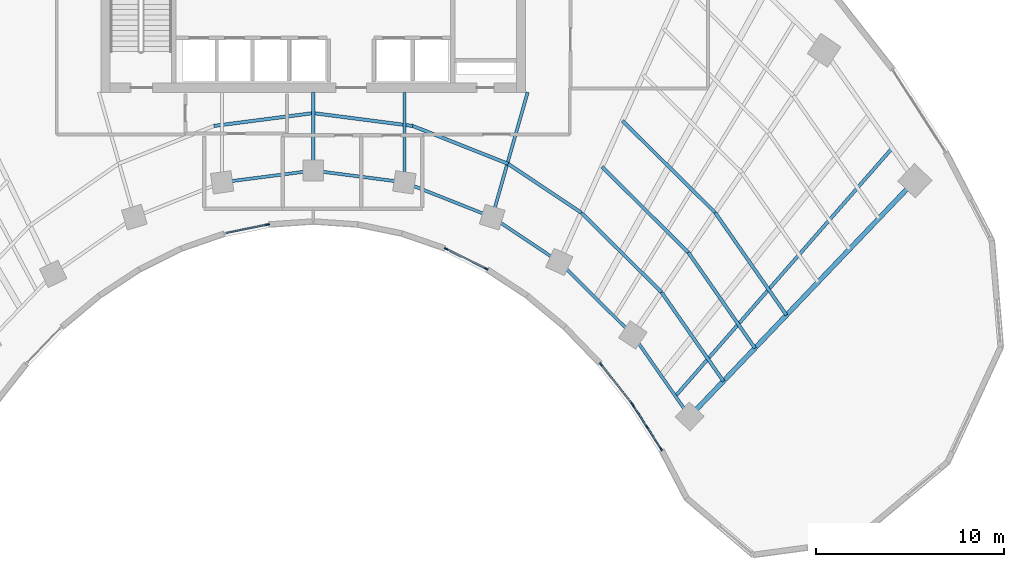
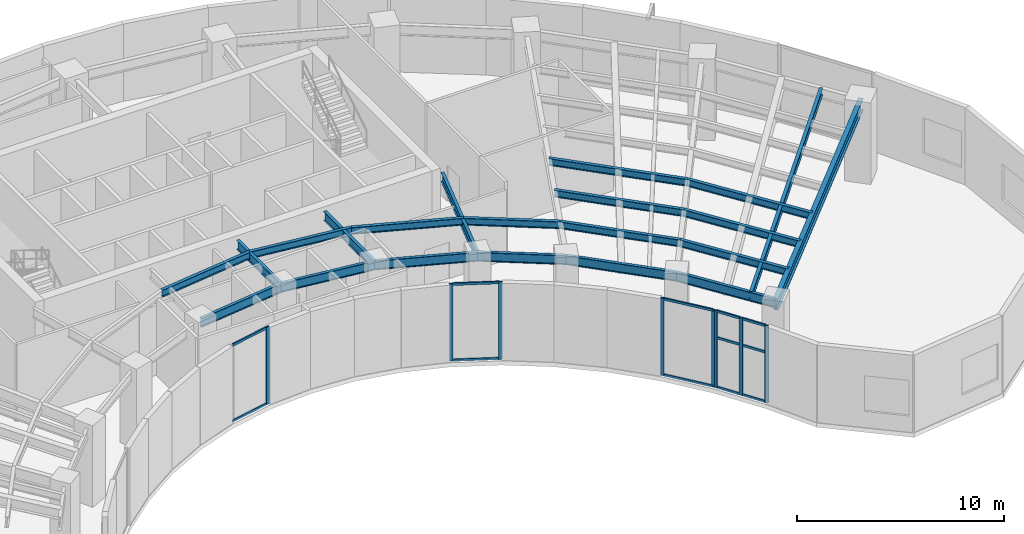
# One storey, part 3 of 15: 21 beams, 20 members, 4 elements without a shape of their own.
"""IFC4 building model written with IfcOpenShell, lengths in metres."""

from ifc_helpers import new_model, si_unit, direction, frame, origin, origin_2d, place, context, subcontext, project, spatial, rectangle, i_section, extrude, source, transform, mapped, material, layer, layer_set, material_profile, profile_set, type_object, type_shapes, element, aggregate, save


model = new_model("IFC4")

# Units and contexts
model_context = context("Model", 3, precision=1e-05, world=origin(), true_north=direction((0.0, 1.0)))
body_context = subcontext(model_context, "Body", "Model", "MODEL_VIEW")
ifc_project = project(units=[si_unit("LENGTHUNIT", "METRE"), si_unit("AREAUNIT", "SQUARE_METRE"), si_unit("VOLUMEUNIT", "CUBIC_METRE"), si_unit("PLANEANGLEUNIT", "RADIAN"), si_unit("MASSUNIT", "GRAM", prefix="KILO")], contexts=[model_context])

# Site, building, storey
site_placement = place(None, origin())
site = spatial("IfcSite", under=ifc_project, at=site_placement, CompositionType="ELEMENT")
building_placement = place(site_placement, origin())
building = spatial("IfcBuilding", under=site, at=building_placement, Name="Breltana Convention Tower", CompositionType="ELEMENT")
storey_placement = place(building_placement, frame((0.0, 0.0, 91.199951171875)))
storey = spatial("IfcBuildingStorey", under=building, at=storey_placement, Name="L21", CompositionType="ELEMENT", Elevation=91.199951171875)

# Beams
ifc_material_1 = material(Name="Steel ASTM A992 Grade 50", Category="steel")
ifc_material_profile_1 = material_profile(ifc_material_1, i_section(OverallWidth=0.179931640625, OverallDepth=0.4130859375, WebThickness=0.009765625, FlangeThickness=0.01611328125, at=origin_2d()), Name="W16X50")
ifc_profile_set_1 = profile_set([ifc_material_profile_1], Name="Steel ASTM A992 Grade 50")
beam_type_1 = type_object("IfcBeamType", Name="BM-JSG-08", PredefinedType="JOIST", material=ifc_profile_set_1)
shared_shape_1 = source(origin(), body_context, "Body", "SweptSolid", [
    extrude(i_section(OverallWidth=0.179931640625, OverallDepth=0.4130859375, WebThickness=0.009765625, FlangeThickness=0.01611328125, at=origin_2d()), origin(), (0.0, 0.0, 1.0), 17.515625),
])
beam_1_placement = place(storey_placement, frame((67.260498046875, 44.03955078125, 4.343505859375), z_axis=(0.658051548324, 0.752972881151, 0.0), x_axis=(-0.752972881151, 0.658051548324, 0.0)))
element("IfcBeam", 1, at=beam_1_placement, inside=storey, type_object=beam_type_1, Name="L21 Quarter-Bay Radial Trimmer 10", PredefinedType="JOIST", context=body_context, shape_type="MappedRepresentation", body=[
    mapped(shared_shape_1, transform((0.0, 0.0, 0.0), scale=1.0)),
])
shared_shape_2 = source(origin(), body_context, "Body", "SweptSolid", [
    extrude(i_section(OverallWidth=0.179931640625, OverallDepth=0.4130859375, WebThickness=0.009765625, FlangeThickness=0.01611328125, at=origin_2d()), origin(), (0.0, 0.0, 1.0), 5.473876953125),
])
beam_2_placement = place(storey_placement, frame((53.281494140625, 58.409912109375, 4.343505859375), z_axis=(0.92945162863, -0.368943993091, 0.0), x_axis=(0.368943993091, 0.92945162863, 0.0)))
element("IfcBeam", 2, at=beam_2_placement, inside=storey, type_object=beam_type_1, Name="L21 Composite Floor Joist 07.1", PredefinedType="JOIST", context=body_context, shape_type="MappedRepresentation", body=[
    mapped(shared_shape_2, transform((0.0, 0.0, 0.0), scale=1.0)),
])
shared_shape_3 = source(origin(), body_context, "Body", "SweptSolid", [
    extrude(i_section(OverallWidth=0.179931640625, OverallDepth=0.4130859375, WebThickness=0.009765625, FlangeThickness=0.01611328125, at=origin_2d()), origin(), (0.0, 0.0, 1.0), 5.3251953125),
])
for number, where, z_axis, x_axis, name in (
    (3, (42.718505859375, 58.409912109375, 4.343505859375), (0.991779931204, 0.127955336199, 0.0), (-0.127955336199, 0.991779931204, 0.0), "L21 Composite Floor Joist 05.1"),
    (4, (48.0, 59.09130859375, 4.343505859375), (0.991779931204, -0.127955336199, 0.0), (0.127955336199, 0.991779931204, 0.0), "L21 Composite Floor Joist 06.1"),
):
    element("IfcBeam", number, at=place(storey_placement, frame(where, z_axis=z_axis, x_axis=x_axis)), inside=storey, type_object=beam_type_1, Name=name, PredefinedType="JOIST", context=body_context, shape_type="MappedRepresentation", body=[
        mapped(shared_shape_3, transform((0.0, 0.0, 0.0), scale=1.0)),
    ])
shared_shape_4 = source(origin(), body_context, "Body", "SweptSolid", [
    extrude(i_section(OverallWidth=0.179931640625, OverallDepth=0.4130859375, WebThickness=0.009765625, FlangeThickness=0.01611328125, at=origin_2d()), origin(), (0.0, 0.0, 1.0), 4.675048828125),
])
beam_3_placement = place(storey_placement, frame((58.369140625, 56.390380859375, 4.343505859375), z_axis=(0.831487469976, -0.555543506193, 0.0), x_axis=(0.555543506193, 0.831487469976, 0.0)))
element("IfcBeam", 5, at=beam_3_placement, inside=storey, type_object=beam_type_1, Name="L21 Composite Floor Joist 08.1", PredefinedType="JOIST", context=body_context, shape_type="MappedRepresentation", body=[
    mapped(shared_shape_4, transform((0.0, 0.0, 0.0), scale=1.0)),
])
shared_shape_5 = source(origin(), body_context, "Body", "SweptSolid", [
    extrude(i_section(OverallWidth=0.179931640625, OverallDepth=0.4130859375, WebThickness=0.009765625, FlangeThickness=0.01611328125, at=origin_2d()), origin(), (0.0, 0.0, 1.0), 6.00634765625),
])
beam_4_placement = place(storey_placement, frame((62.25634765625, 53.793212890625, 4.343505859375), z_axis=(0.710108283635, -0.704092483636, 0.0), x_axis=(0.704092483636, 0.710108283635, 0.0)))
element("IfcBeam", 6, at=beam_4_placement, inside=storey, type_object=beam_type_1, Name="L21 Composite Floor Joist 09.1", PredefinedType="JOIST", context=body_context, shape_type="MappedRepresentation", body=[
    mapped(shared_shape_5, transform((0.0, 0.0, 0.0), scale=1.0)),
])
shared_shape_6 = source(origin(), body_context, "Body", "SweptSolid", [
    extrude(i_section(OverallWidth=0.179931640625, OverallDepth=0.4130859375, WebThickness=0.009765625, FlangeThickness=0.01611328125, at=origin_2d()), origin(), (0.0, 0.0, 1.0), 6.468017578125),
])
beam_5_placement = place(storey_placement, frame((63.352294921875, 56.237548828125, 4.343505859375), z_axis=(0.710101160442, -0.704099667617, 0.0), x_axis=(0.704099667617, 0.710101160442, 0.0)))
element("IfcBeam", 7, at=beam_5_placement, inside=storey, type_object=beam_type_1, Name="L21 Composite Floor Joist 09.2", PredefinedType="JOIST", context=body_context, shape_type="MappedRepresentation", body=[
    mapped(shared_shape_6, transform((0.0, 0.0, 0.0), scale=1.0)),
])
shared_shape_7 = source(origin(), body_context, "Body", "SweptSolid", [
    extrude(i_section(OverallWidth=0.179931640625, OverallDepth=0.4130859375, WebThickness=0.009765625, FlangeThickness=0.01611328125, at=origin_2d()), origin(), (0.0, 0.0, 1.0), 6.93017578125),
])
beam_6_placement = place(storey_placement, frame((64.4482421875, 58.681884765625, 4.343505859375), z_axis=(0.710112451674, -0.70408827996, 0.0), x_axis=(0.70408827996, 0.710112451674, 0.0)))
element("IfcBeam", 8, at=beam_6_placement, inside=storey, type_object=beam_type_1, Name="L21 Composite Floor Joist 09.3", PredefinedType="JOIST", context=body_context, shape_type="MappedRepresentation", body=[
    mapped(shared_shape_7, transform((0.0, 0.0, 0.0), scale=1.0)),
])
shared_shape_8 = source(origin(), body_context, "Body", "SweptSolid", [
    extrude(i_section(OverallWidth=0.179931640625, OverallDepth=0.4130859375, WebThickness=0.009765625, FlangeThickness=0.01611328125, at=origin_2d()), origin(), (0.0, 0.0, 1.0), 5.760986328125),
])
beam_7_placement = place(storey_placement, frame((66.521484375, 49.564208984375, 4.343505859375), z_axis=(0.571224653223, -0.820793759449, 0.0), x_axis=(0.820793759449, 0.571224653223, 0.0)))
element("IfcBeam", 9, at=beam_7_placement, inside=storey, type_object=beam_type_1, Name="L21 Composite Floor Joist 10.1", PredefinedType="JOIST", context=body_context, shape_type="MappedRepresentation", body=[
    mapped(shared_shape_8, transform((0.0, 0.0, 0.0), scale=1.0)),
])
shared_shape_9 = source(origin(), body_context, "Body", "SweptSolid", [
    extrude(i_section(OverallWidth=0.179931640625, OverallDepth=0.4130859375, WebThickness=0.009765625, FlangeThickness=0.01611328125, at=origin_2d()), origin(), (0.0, 0.0, 1.0), 6.203857421875),
])
beam_8_placement = place(storey_placement, frame((67.9453125, 51.683349609375, 4.343505859375), z_axis=(0.571217832032, -0.820798506558, 0.0), x_axis=(0.820798506558, 0.571217832032, 0.0)))
element("IfcBeam", 10, at=beam_8_placement, inside=storey, type_object=beam_type_1, Name="L21 Composite Floor Joist 10.2", PredefinedType="JOIST", context=body_context, shape_type="MappedRepresentation", body=[
    mapped(shared_shape_9, transform((0.0, 0.0, 0.0), scale=1.0)),
])
shared_shape_10 = source(origin(), body_context, "Body", "SweptSolid", [
    extrude(i_section(OverallWidth=0.179931640625, OverallDepth=0.4130859375, WebThickness=0.009765625, FlangeThickness=0.01611328125, at=origin_2d()), origin(), (0.0, 0.0, 1.0), 6.646728515625),
])
beam_9_placement = place(storey_placement, frame((69.369384765625, 53.802490234375, 4.343505859375), z_axis=(0.571194698527, -0.820814605362, 0.0), x_axis=(0.820814605362, 0.571194698527, 0.0)))
element("IfcBeam", 11, at=beam_9_placement, inside=storey, type_object=beam_type_1, Name="L21 Composite Floor Joist 10.3", PredefinedType="JOIST", context=body_context, shape_type="MappedRepresentation", body=[
    mapped(shared_shape_10, transform((0.0, 0.0, 0.0), scale=1.0)),
])
ifc_material_profile_2 = material_profile(ifc_material_1, i_section(OverallWidth=0.25390625, OverallDepth=0.68798828125, WebThickness=0.01318359375, FlangeThickness=0.02099609375, at=origin_2d()), Name="W27X102")
ifc_profile_set_2 = profile_set([ifc_material_profile_2], Name="Steel ASTM A992 Grade 50")
beam_type_2 = type_object("IfcBeamType", Name="BM-RG-W27X102", PredefinedType="USERDEFINED", material=ifc_profile_set_2)
shared_shape_11 = source(origin(), body_context, "Body", "SweptSolid", [
    extrude(i_section(OverallWidth=0.25390625, OverallDepth=0.68798828125, WebThickness=0.01318359375, FlangeThickness=0.02099609375, at=origin_2d()), origin(), (0.0, 0.0, 1.0), 17.341064453125),
])
type_shapes(beam_type_2, [shared_shape_11])
beam_10_placement = place(storey_placement, frame((68.015380859375, 42.95458984375, 4.2060546875), z_axis=(0.690716462293, 0.723125693581, 0.0), x_axis=(-0.723125693581, 0.690716462293, 0.0)))
element("IfcBeam", 12, at=beam_10_placement, inside=storey, type_object=beam_type_2, Name="L21 Radial Floor Girder R11", ObjectType="GIRDER", PredefinedType="USERDEFINED", context=body_context, shape_type="MappedRepresentation", body=[
    mapped(shared_shape_11, transform((0.0, 0.0, 0.0), scale=1.0)),
])
ifc_material_profile_3 = material_profile(ifc_material_1, i_section(OverallWidth=0.166015625, OverallDepth=0.534912109375, WebThickness=0.01025390625, FlangeThickness=0.0166015625, at=origin_2d()), Name="W21X57")
ifc_profile_set_3 = profile_set([ifc_material_profile_3], Name="Steel ASTM A992 Grade 50")
beam_type_3 = type_object("IfcBeamType", Name="BM-BM-W21X57", PredefinedType="BEAM", material=ifc_profile_set_3)
shared_shape_12 = source(origin(), body_context, "Body", "SweptSolid", [
    extrude(i_section(OverallWidth=0.166015625, OverallDepth=0.534912109375, WebThickness=0.01025390625, FlangeThickness=0.0166015625, at=origin_2d()), origin(), (0.0, 0.0, 1.0), 6.904541015625),
])
type_shapes(beam_type_3, [shared_shape_12])
beam_11_placement = place(storey_placement, frame((59.39990234375, 60.199951171875, 4.282470703125), z_axis=(-0.273006781054, -0.962012108811, 0.0), x_axis=(0.962012108811, -0.273006781054, 0.0)))
element("IfcBeam", 13, at=beam_11_placement, inside=storey, type_object=beam_type_3, Name="L21 South Core Tie Girder R08", PredefinedType="BEAM", context=body_context, shape_type="MappedRepresentation", body=[
    mapped(shared_shape_12, transform((0.0, 0.0, 0.0), scale=1.0)),
])
shared_shape_13 = source(origin(), body_context, "Body", "SweptSolid", [
    extrude(i_section(OverallWidth=0.166015625, OverallDepth=0.534912109375, WebThickness=0.01025390625, FlangeThickness=0.0166015625, at=origin_2d()), origin(), (0.0, 0.0, 1.0), 4.789306640625),
])
beam_12_placement = place(storey_placement, frame((52.846435546875, 60.199951171875, 4.282470703125), z_axis=(0.0, -1.0, 0.0), x_axis=(1.0, 0.0, 0.0)))
element("IfcBeam", 14, at=beam_12_placement, inside=storey, type_object=beam_type_3, Name="L21 South Core Tie Girder R07", PredefinedType="BEAM", context=body_context, shape_type="MappedRepresentation", body=[
    mapped(shared_shape_13, transform((0.0, 0.0, 0.0), scale=1.0)),
])
shared_shape_14 = source(origin(), body_context, "Body", "SweptSolid", [
    extrude(i_section(OverallWidth=0.166015625, OverallDepth=0.534912109375, WebThickness=0.01025390625, FlangeThickness=0.0166015625, at=origin_2d()), origin(), (0.0, 0.0, 1.0), 4.1640625),
])
beam_13_placement = place(storey_placement, frame((48.0, 60.199951171875, 4.282470703125), z_axis=(0.0, -1.0, 0.0), x_axis=(1.0, 0.0, 0.0)))
element("IfcBeam", 15, at=beam_13_placement, inside=storey, type_object=beam_type_3, Name="L21 South Core Tie Girder R06", PredefinedType="BEAM", context=body_context, shape_type="MappedRepresentation", body=[
    mapped(shared_shape_14, transform((0.0, 0.0, 0.0), scale=1.0)),
])
shared_shape_15 = source(origin(), body_context, "Body", "SweptSolid", [
    extrude(i_section(OverallWidth=0.166015625, OverallDepth=0.534912109375, WebThickness=0.01025390625, FlangeThickness=0.0166015625, at=origin_2d()), origin(), (0.0, 0.0, 1.0), 5.022705078125),
])
beam_14_placement = place(storey_placement, frame((52.846435546875, 55.41064453125, 4.282470703125), z_axis=(0.929458966248, -0.368925507469, 0.0), x_axis=(0.368925507469, 0.929458966248, 0.0)))
element("IfcBeam", 16, at=beam_14_placement, inside=storey, type_object=beam_type_3, Name="L21 Inner Ring Beam 07", PredefinedType="BEAM", context=body_context, shape_type="MappedRepresentation", body=[
    mapped(shared_shape_15, transform((0.0, 0.0, 0.0), scale=1.0)),
])
shared_shape_16 = source(origin(), body_context, "Body", "SweptSolid", [
    extrude(i_section(OverallWidth=0.166015625, OverallDepth=0.534912109375, WebThickness=0.01025390625, FlangeThickness=0.0166015625, at=origin_2d()), origin(), (0.0, 0.0, 1.0), 4.88671875),
])
for number, where, z_axis, x_axis, name in (
    (17, (43.153564453125, 55.41064453125, 4.282470703125), (0.991780525565, 0.127950729231, 0.0), (-0.127950729231, 0.991780525565, 0.0), "L21 Inner Ring Beam 05"),
    (18, (48.0, 56.035888671875, 4.282470703125), (0.991780525565, -0.127950729231, 0.0), (0.127950729231, 0.991780525565, 0.0), "L21 Inner Ring Beam 06"),
):
    element("IfcBeam", number, at=place(storey_placement, frame(where, z_axis=z_axis, x_axis=x_axis)), inside=storey, type_object=beam_type_3, Name=name, PredefinedType="BEAM", context=body_context, shape_type="MappedRepresentation", body=[
        mapped(shared_shape_16, transform((0.0, 0.0, 0.0), scale=1.0)),
    ])
shared_shape_17 = source(origin(), body_context, "Body", "SweptSolid", [
    extrude(i_section(OverallWidth=0.166015625, OverallDepth=0.534912109375, WebThickness=0.01025390625, FlangeThickness=0.0166015625, at=origin_2d()), origin(), (0.0, 0.0, 1.0), 4.2900390625),
])
beam_15_placement = place(storey_placement, frame((57.514892578125, 53.5576171875, 4.282470703125), z_axis=(0.831515827753, -0.555501060482, 0.0), x_axis=(0.555501060482, 0.831515827753, 0.0)))
element("IfcBeam", 19, at=beam_15_placement, inside=storey, type_object=beam_type_3, Name="L21 Inner Ring Beam 08", PredefinedType="BEAM", context=body_context, shape_type="MappedRepresentation", body=[
    mapped(shared_shape_17, transform((0.0, 0.0, 0.0), scale=1.0)),
])
shared_shape_18 = source(origin(), body_context, "Body", "SweptSolid", [
    extrude(i_section(OverallWidth=0.166015625, OverallDepth=0.534912109375, WebThickness=0.01025390625, FlangeThickness=0.0166015625, at=origin_2d()), origin(), (0.0, 0.0, 1.0), 5.51171875),
])
beam_16_placement = place(storey_placement, frame((61.08203125, 51.174560546875, 4.282470703125), z_axis=(0.710090360749, -0.704110559196, 0.0), x_axis=(0.704110559196, 0.710090360749, 0.0)))
element("IfcBeam", 20, at=beam_16_placement, inside=storey, type_object=beam_type_3, Name="L21 Inner Ring Beam 09", PredefinedType="BEAM", context=body_context, shape_type="MappedRepresentation", body=[
    mapped(shared_shape_18, transform((0.0, 0.0, 0.0), scale=1.0)),
])
shared_shape_19 = source(origin(), body_context, "Body", "SweptSolid", [
    extrude(i_section(OverallWidth=0.166015625, OverallDepth=0.534912109375, WebThickness=0.01025390625, FlangeThickness=0.0166015625, at=origin_2d()), origin(), (0.0, 0.0, 1.0), 5.286376953125),
])
beam_17_placement = place(storey_placement, frame((64.995849609375, 47.293701171875, 4.282470703125), z_axis=(0.571194382458, -0.82081482531, 0.0), x_axis=(0.82081482531, 0.571194382458, 0.0)))
element("IfcBeam", 21, at=beam_17_placement, inside=storey, type_object=beam_type_3, Name="L21 Inner Ring Beam 10", PredefinedType="BEAM", context=body_context, shape_type="MappedRepresentation", body=[
    mapped(shared_shape_19, transform((0.0, 0.0, 0.0), scale=1.0)),
])

# Curtain wall, members
ifc_material_2 = material(Name="Aluminium Anodised Bronze Frame", Category="aluminium")
ifc_layer = layer(ifc_material_2, 0.18994140625, Name="Aluminium Anodised Bronze Frame")
ifc_layer_set = layer_set([ifc_layer], Name="Aluminium Anodised Bronze Frame")
curtain_wall_type = type_object("IfcCurtainWallType", Name="CW-SYS-1", PredefinedType="NOTDEFINED", material=ifc_layer_set)
curtain_wall_1_placement = place(storey_placement, origin())
curtain_wall_1 = element("IfcCurtainWall", 22, at=curtain_wall_1_placement, inside=storey, type_object=curtain_wall_type, Name="L21 inner south-court glazing 1", PredefinedType="NOTDEFINED")
ifc_material_3 = material(Name="Aluminium Anodised Bronze", Category="aluminium")
ifc_material_profile_4 = material_profile(ifc_material_3, rectangle(XDim=0.080078125, YDim=0.199951171875, at=origin_2d()), Name="CWM-80X200")
ifc_profile_set_4 = profile_set([ifc_material_profile_4], Name="Aluminium Anodised Bronze")
member_type_1 = type_object("IfcMemberType", Name="CWM-200", PredefinedType="MULLION", material=ifc_profile_set_4)
shared_shape_20 = source(origin(), body_context, "Body", "SweptSolid", [
    extrude(rectangle(XDim=0.080078125, YDim=0.199951171875, at=origin_2d()), origin(), (0.0, 0.0, 1.0), 4.550048828125),
])
member_1_placement = place(storey_placement, frame((66.5009765625, 41.22607421875, 0.0), z_axis=(0.0, 0.0, 1.0), x_axis=(-0.841551235949, -0.5401773017, 0.0)))
member_1 = element("IfcMember", 23, at=member_1_placement, type_object=member_type_1, Name="CW-01 mullion 1", PredefinedType="MULLION", context=body_context, shape_type="MappedRepresentation", body=[
    mapped(shared_shape_20, transform((0.0, 0.0, 0.0), scale=1.0)),
])
member_2_placement = place(storey_placement, frame((65.755615234375, 42.38720703125, 0.0), z_axis=(0.0, 0.0, 1.0), x_axis=(-0.841551235949, -0.5401773017, 0.0)))
member_2 = element("IfcMember", 24, at=member_2_placement, type_object=member_type_1, Name="CW-01 mullion 2", PredefinedType="MULLION", context=body_context, shape_type="MappedRepresentation", body=[
    mapped(shared_shape_20, transform((0.0, 0.0, 0.0), scale=1.0)),
])
member_3_placement = place(storey_placement, frame((65.010009765625, 43.548583984375, 0.0), z_axis=(0.0, 0.0, 1.0), x_axis=(-0.841551235949, -0.5401773017, 0.0)))
member_3 = element("IfcMember", 25, at=member_3_placement, type_object=member_type_1, Name="CW-01 mullion 3", PredefinedType="MULLION", context=body_context, shape_type="MappedRepresentation", body=[
    mapped(shared_shape_20, transform((0.0, 0.0, 0.0), scale=1.0)),
])

curtain_wall_2_placement = place(storey_placement, origin())
curtain_wall_2 = element("IfcCurtainWall", 26, at=curtain_wall_2_placement, inside=storey, type_object=curtain_wall_type, Name="L21 inner south-court glazing 2", PredefinedType="NOTDEFINED")
member_4_placement = place(storey_placement, frame((64.953857421875, 43.6279296875, 0.0), z_axis=(0.0, 0.0, 1.0), x_axis=(-0.786054302547, -0.61815745037, 0.0)))
member_4 = element("IfcMember", 27, at=member_4_placement, type_object=member_type_1, Name="CW-01 mullion 1", PredefinedType="MULLION", context=body_context, shape_type="MappedRepresentation", body=[
    mapped(shared_shape_20, transform((0.0, 0.0, 0.0), scale=1.0)),
])
member_5_placement = place(storey_placement, frame((63.296630859375, 45.73486328125, 0.0), z_axis=(0.0, 0.0, 1.0), x_axis=(-0.786054302547, -0.61815745037, 0.0)))
member_5 = element("IfcMember", 28, at=member_5_placement, type_object=member_type_1, Name="CW-01 mullion 2", PredefinedType="MULLION", context=body_context, shape_type="MappedRepresentation", body=[
    mapped(shared_shape_20, transform((0.0, 0.0, 0.0), scale=1.0)),
])

curtain_wall_3_placement = place(storey_placement, origin())
curtain_wall_3 = element("IfcCurtainWall", 29, at=curtain_wall_3_placement, inside=storey, type_object=curtain_wall_type, Name="L21 inner south-court glazing 3", PredefinedType="NOTDEFINED")
member_6_placement = place(storey_placement, frame((57.203125, 50.814697265625, 0.0), z_axis=(0.0, 0.0, 1.0), x_axis=(-0.444124759622, -0.895964953495, 0.0)))
member_6 = element("IfcMember", 30, at=member_6_placement, type_object=member_type_1, Name="CW-01 mullion 1", PredefinedType="MULLION", context=body_context, shape_type="MappedRepresentation", body=[
    mapped(shared_shape_20, transform((0.0, 0.0, 0.0), scale=1.0)),
])
member_7_placement = place(storey_placement, frame((55.068359375, 51.873046875, 0.0), z_axis=(0.0, 0.0, 1.0), x_axis=(-0.444124759622, -0.895964953495, 0.0)))
member_7 = element("IfcMember", 31, at=member_7_placement, type_object=member_type_1, Name="CW-01 mullion 2", PredefinedType="MULLION", context=body_context, shape_type="MappedRepresentation", body=[
    mapped(shared_shape_20, transform((0.0, 0.0, 0.0), scale=1.0)),
])

# Curtain wall, member
curtain_wall_4_placement = place(storey_placement, origin())
curtain_wall_4 = element("IfcCurtainWall", 32, at=curtain_wall_4_placement, inside=storey, type_object=curtain_wall_type, Name="L21 inner south-court glazing 4", PredefinedType="NOTDEFINED")
member_8_placement = place(storey_placement, frame((45.574951171875, 53.163818359375, 0.0), z_axis=(0.0, 0.0, 1.0), x_axis=(0.200852929183, -0.979621406891, 0.0)))
member_8 = element("IfcMember", 33, at=member_8_placement, type_object=member_type_1, Name="CW-01 mullion 1", PredefinedType="MULLION", context=body_context, shape_type="MappedRepresentation", body=[
    mapped(shared_shape_20, transform((0.0, 0.0, 0.0), scale=1.0)),
])

# Member
ifc_material_profile_5 = material_profile(ifc_material_3, rectangle(XDim=0.080078125, YDim=0.139892578125, at=origin_2d()), Name="CWT-80X140")
ifc_profile_set_5 = profile_set([ifc_material_profile_5], Name="Aluminium Anodised Bronze")
member_type_2 = type_object("IfcMemberType", Name="CWT-140", PredefinedType="USERDEFINED", material=ifc_profile_set_5)
shared_shape_21 = source(origin(), body_context, "Body", "SweptSolid", [
    extrude(rectangle(XDim=0.080078125, YDim=0.139892578125, at=origin_2d()), origin(), (0.0, 0.0, 1.0), 1.30029296875),
])
member_9_placement = place(storey_placement, frame((66.4794921875, 41.259521484375, 0.0400390625), z_axis=(-0.540188084224, 0.841544314735, 0.0), x_axis=(-0.841544314735, -0.540188084224, 0.0)))
member_9 = element("IfcMember", 34, at=member_9_placement, type_object=member_type_2, Name="CW-01 transom 1.1", ObjectType="TRANSOM", PredefinedType="USERDEFINED", context=body_context, shape_type="MappedRepresentation", body=[
    mapped(shared_shape_21, transform((0.0, 0.0, 0.0), scale=1.0)),
])

member_10_placement = place(storey_placement, frame((66.4794921875, 41.259521484375, 2.95751953125), z_axis=(-0.540188084224, 0.841544314735, 0.0), x_axis=(-0.841544314735, -0.540188084224, 0.0)))
member_10 = element("IfcMember", 35, at=member_10_placement, type_object=member_type_2, Name="CW-01 transom 1.2", ObjectType="TRANSOM", PredefinedType="USERDEFINED", context=body_context, shape_type="MappedRepresentation", body=[
    mapped(shared_shape_21, transform((0.0, 0.0, 0.0), scale=1.0)),
])

member_11_placement = place(storey_placement, frame((66.4794921875, 41.259521484375, 4.510009765625), z_axis=(-0.540188084224, 0.841544314735, 0.0), x_axis=(-0.841544314735, -0.540188084224, 0.0)))
member_11 = element("IfcMember", 36, at=member_11_placement, type_object=member_type_2, Name="CW-01 transom 1.3", ObjectType="TRANSOM", PredefinedType="USERDEFINED", context=body_context, shape_type="MappedRepresentation", body=[
    mapped(shared_shape_21, transform((0.0, 0.0, 0.0), scale=1.0)),
])

shared_shape_22 = source(origin(), body_context, "Body", "SweptSolid", [
    extrude(rectangle(XDim=0.080078125, YDim=0.139892578125, at=origin_2d()), origin(), (0.0, 0.0, 1.0), 1.300048828125),
])
member_12_placement = place(storey_placement, frame((65.73388671875, 42.4208984375, 0.0400390625), z_axis=(-0.540140453972, 0.841574886735, 0.0), x_axis=(-0.841574886735, -0.540140453972, 0.0)))
member_12 = element("IfcMember", 37, at=member_12_placement, type_object=member_type_2, Name="CW-01 transom 2.1", ObjectType="TRANSOM", PredefinedType="USERDEFINED", context=body_context, shape_type="MappedRepresentation", body=[
    mapped(shared_shape_22, transform((0.0, 0.0, 0.0), scale=1.0)),
])

member_13_placement = place(storey_placement, frame((65.73388671875, 42.4208984375, 2.95751953125), z_axis=(-0.540140453972, 0.841574886735, 0.0), x_axis=(-0.841574886735, -0.540140453972, 0.0)))
member_13 = element("IfcMember", 38, at=member_13_placement, type_object=member_type_2, Name="CW-01 transom 2.2", ObjectType="TRANSOM", PredefinedType="USERDEFINED", context=body_context, shape_type="MappedRepresentation", body=[
    mapped(shared_shape_22, transform((0.0, 0.0, 0.0), scale=1.0)),
])

member_14_placement = place(storey_placement, frame((65.73388671875, 42.4208984375, 4.510009765625), z_axis=(-0.540140453972, 0.841574886735, 0.0), x_axis=(-0.841574886735, -0.540140453972, 0.0)))
member_14 = element("IfcMember", 39, at=member_14_placement, type_object=member_type_2, Name="CW-01 transom 2.3", ObjectType="TRANSOM", PredefinedType="USERDEFINED", context=body_context, shape_type="MappedRepresentation", body=[
    mapped(shared_shape_22, transform((0.0, 0.0, 0.0), scale=1.0)),
])

aggregate(curtain_wall_1, [member_1, member_2, member_3, member_9, member_10, member_11, member_12, member_13, member_14])

shared_shape_23 = source(origin(), body_context, "Body", "SweptSolid", [
    extrude(rectangle(XDim=0.080078125, YDim=0.139892578125, at=origin_2d()), origin(), (0.0, 0.0, 1.0), 2.6005859375),
])
member_15_placement = place(storey_placement, frame((64.928955078125, 43.6591796875, 0.0400390625), z_axis=(-0.618078566977, 0.786116330478, 0.0), x_axis=(-0.786116330478, -0.618078566977, 0.0)))
member_15 = element("IfcMember", 40, at=member_15_placement, type_object=member_type_2, Name="CW-01 transom 1.1", ObjectType="TRANSOM", PredefinedType="USERDEFINED", context=body_context, shape_type="MappedRepresentation", body=[
    mapped(shared_shape_23, transform((0.0, 0.0, 0.0), scale=1.0)),
])

member_16_placement = place(storey_placement, frame((64.928955078125, 43.6591796875, 4.510009765625), z_axis=(-0.618078566977, 0.786116330478, 0.0), x_axis=(-0.786116330478, -0.618078566977, 0.0)))
member_16 = element("IfcMember", 41, at=member_16_placement, type_object=member_type_2, Name="CW-01 transom 1.2", ObjectType="TRANSOM", PredefinedType="USERDEFINED", context=body_context, shape_type="MappedRepresentation", body=[
    mapped(shared_shape_23, transform((0.0, 0.0, 0.0), scale=1.0)),
])

aggregate(curtain_wall_2, [member_4, member_5, member_15, member_16])

shared_shape_24 = source(origin(), body_context, "Body", "SweptSolid", [
    extrude(rectangle(XDim=0.080078125, YDim=0.139892578125, at=origin_2d()), origin(), (0.0, 0.0, 1.0), 2.302490234375),
])
member_17_placement = place(storey_placement, frame((57.167236328125, 50.83251953125, 0.0400390625), z_axis=(-0.895948802276, 0.444157341152, 0.0), x_axis=(-0.444157341152, -0.895948802276, 0.0)))
member_17 = element("IfcMember", 42, at=member_17_placement, type_object=member_type_2, Name="CW-01 transom 1.1", ObjectType="TRANSOM", PredefinedType="USERDEFINED", context=body_context, shape_type="MappedRepresentation", body=[
    mapped(shared_shape_24, transform((0.0, 0.0, 0.0), scale=1.0)),
])

member_18_placement = place(storey_placement, frame((57.167236328125, 50.83251953125, 4.510009765625), z_axis=(-0.895948802276, 0.444157341152, 0.0), x_axis=(-0.444157341152, -0.895948802276, 0.0)))
member_18 = element("IfcMember", 43, at=member_18_placement, type_object=member_type_2, Name="CW-01 transom 1.2", ObjectType="TRANSOM", PredefinedType="USERDEFINED", context=body_context, shape_type="MappedRepresentation", body=[
    mapped(shared_shape_24, transform((0.0, 0.0, 0.0), scale=1.0)),
])

aggregate(curtain_wall_3, [member_6, member_7, member_17, member_18])

shared_shape_25 = source(origin(), body_context, "Body", "SweptSolid", [
    extrude(rectangle(XDim=0.080078125, YDim=0.139892578125, at=origin_2d()), origin(), (0.0, 0.0, 1.0), 2.2138671875),
])
member_19_placement = place(storey_placement, frame((45.535888671875, 53.15576171875, 0.0400390625), z_axis=(-0.979627741123, -0.200822032712, 0.0), x_axis=(0.200822032712, -0.979627741123, 0.0)))
member_19 = element("IfcMember", 44, at=member_19_placement, type_object=member_type_2, Name="CW-01 transom 1.1", ObjectType="TRANSOM", PredefinedType="USERDEFINED", context=body_context, shape_type="MappedRepresentation", body=[
    mapped(shared_shape_25, transform((0.0, 0.0, 0.0), scale=1.0)),
])

member_20_placement = place(storey_placement, frame((45.535888671875, 53.15576171875, 4.510009765625), z_axis=(-0.979627741123, -0.200822032712, 0.0), x_axis=(0.200822032712, -0.979627741123, 0.0)))
member_20 = element("IfcMember", 45, at=member_20_placement, type_object=member_type_2, Name="CW-01 transom 1.2", ObjectType="TRANSOM", PredefinedType="USERDEFINED", context=body_context, shape_type="MappedRepresentation", body=[
    mapped(shared_shape_25, transform((0.0, 0.0, 0.0), scale=1.0)),
])

aggregate(curtain_wall_4, [member_8, member_19, member_20])

save(model, "model.ifc")
